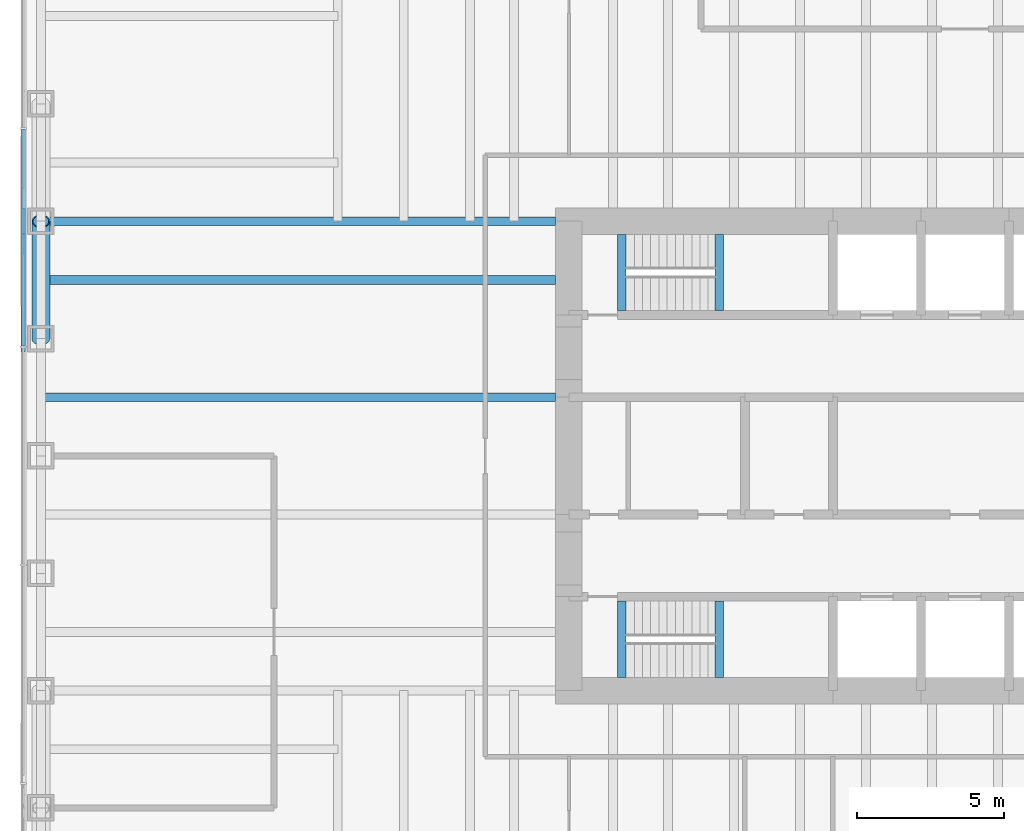
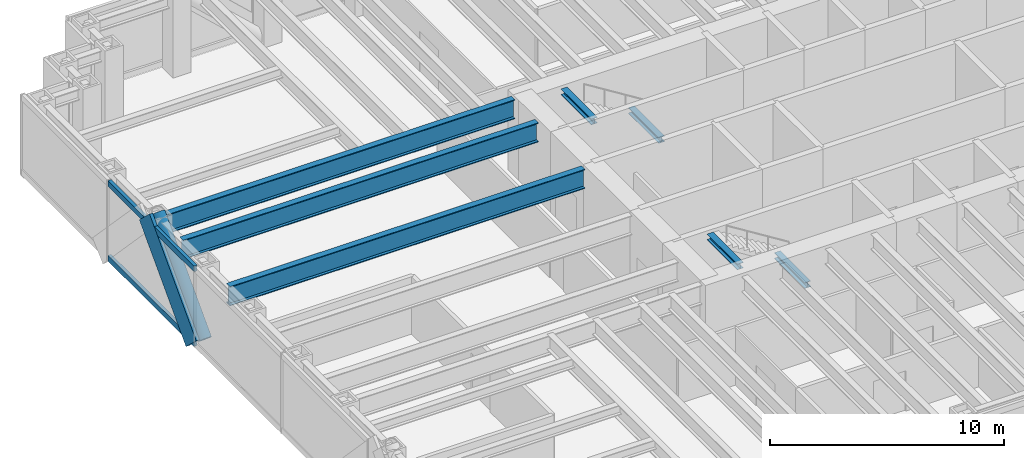
# One storey, part 3 of 15: 7 beams, 4 members, 1 element without a shape of its own.
"""IFC4 building model written with IfcOpenShell, lengths in metres."""

from ifc_helpers import new_model, si_unit, direction, frame, origin, origin_2d, place, context, subcontext, project, spatial, rectangle, hollow_circle, i_section, extrude, material, material_profile, profile_set, type_object, element, aggregate, save


model = new_model("IFC4")

# Units and contexts
model_context = context("Model", 3, precision=1e-05, world=origin(), true_north=direction((0.0, 1.0)))
body_context = subcontext(model_context, "Body", "Model", "MODEL_VIEW")
ifc_project = project(units=[si_unit("LENGTHUNIT", "METRE"), si_unit("AREAUNIT", "SQUARE_METRE"), si_unit("VOLUMEUNIT", "CUBIC_METRE"), si_unit("PLANEANGLEUNIT", "RADIAN"), si_unit("MASSUNIT", "GRAM", prefix="KILO")], contexts=[model_context])

# Site, building, storey
site_placement = place(None, origin())
site = spatial("IfcSite", under=ifc_project, at=site_placement, CompositionType="ELEMENT")
building_placement = place(site_placement, origin())
building = spatial("IfcBuilding", under=site, at=building_placement, Name="Rheinbord Bourse Tower", CompositionType="ELEMENT")
storey_placement = place(building_placement, frame((0.0, 0.0, 146.699951171875)))
storey = spatial("IfcBuildingStorey", under=building, at=storey_placement, Name="L32", CompositionType="ELEMENT", Elevation=146.699951171875)

# Curtain wall, members
ifc_material_1 = material(Name="Dark glass and black aluminium", Category="aluminium")
curtain_wall_type = type_object("IfcCurtainWallType", Name="CW2 DARK GLASS CURTAIN WALL", PredefinedType="USERDEFINED", material=ifc_material_1)
curtain_wall_placement = place(storey_placement, origin())
curtain_wall = element("IfcCurtainWall", 1, at=curtain_wall_placement, inside=storey, type_object=curtain_wall_type, Name="Curtain wall CW2 W L32", ObjectType="UNITISED CURTAIN WALL", PredefinedType="USERDEFINED")
ifc_material_2 = material(Name="Black anodised aluminium", Category="aluminium")
ifc_material_profile_1 = material_profile(ifc_material_2, rectangle(XDim=0.159912109375, YDim=1.2099609375, at=origin_2d()), Name="CW2 DIAGONAL MULLION 1210x160")
ifc_profile_set_1 = profile_set([ifc_material_profile_1], Name="Black anodised aluminium")
member_type_1 = type_object("IfcMemberType", Name="CW2 BLACK DIAGONAL MULLION", PredefinedType="USERDEFINED", material=ifc_profile_set_1)
member_1_placement = place(storey_placement, frame((-0.60009765625, 28.0, 0.0), z_axis=(0.0, 0.689659376744, 0.724133926887), x_axis=(-1.0, 0.0, 0.0)))
member_1 = element("IfcMember", 2, at=member_1_placement, type_object=member_type_1, Name="CW2 diagonal mullion b", ObjectType="DIAGONAL MULLION", PredefinedType="USERDEFINED", context=body_context, shape_type="SweptSolid", body=[
    extrude(rectangle(XDim=0.159912109375, YDim=1.2099609375, at=origin_2d()), origin(), (0.0, 0.0, 1.0), 5.800048828125),
])
ifc_material_3 = material(Name="Black anodised aluminium", Category="aluminium")
ifc_material_profile_2 = material_profile(ifc_material_3, rectangle(XDim=0.159912109375, YDim=0.300048828125, at=origin_2d()), Name="CW2 TRANSOM 300x160")
ifc_profile_set_2 = profile_set([ifc_material_profile_2], Name="Black anodised aluminium")
member_type_2 = type_object("IfcMemberType", Name="CW2 BLACK TRANSOM", PredefinedType="USERDEFINED", material=ifc_profile_set_2)
member_2_placement = place(storey_placement, frame((-0.60009765625, 35.125, 0.150146484375), z_axis=(0.0, -1.0, 0.0), x_axis=(1.0, 0.0, 0.0)))
member_2 = element("IfcMember", 3, at=member_2_placement, type_object=member_type_2, Name="CW2 transom 2.1", ObjectType="TRANSOM", PredefinedType="USERDEFINED", context=body_context, shape_type="SweptSolid", body=[
    extrude(rectangle(XDim=0.159912109375, YDim=0.300048828125, at=origin_2d()), origin(), (0.0, 0.0, 1.0), 7.3701171875),
])
member_3_placement = place(storey_placement, frame((-0.60009765625, 35.125, 4.050048828125), z_axis=(0.0, -1.0, 0.0), x_axis=(1.0, 0.0, 0.0)))
member_3 = element("IfcMember", 4, at=member_3_placement, type_object=member_type_2, Name="CW2 transom 2.2", ObjectType="TRANSOM", PredefinedType="USERDEFINED", context=body_context, shape_type="SweptSolid", body=[
    extrude(rectangle(XDim=0.159912109375, YDim=0.300048828125, at=origin_2d()), origin(), (0.0, 0.0, 1.0), 7.3701171875),
])
aggregate(curtain_wall, [member_2, member_3, member_1])

# Beams
ifc_material_4 = material(Name="Steel S460", Category="steel")
ifc_material_profile_3 = material_profile(ifc_material_4, i_section(OverallWidth=0.302001953125, OverallDepth=1.008056640625, WebThickness=0.02099609375, FlangeThickness=0.0400390625, at=origin_2d()), Name="HEM 1000")
ifc_profile_set_3 = profile_set([ifc_material_profile_3], Name="Steel S460")
beam_type_1 = type_object("IfcBeamType", Name="END BEAM HEM 1000", PredefinedType="BEAM", material=ifc_profile_set_3)
for number, where, z_axis, x_axis, name in (
    (5, (0.0, 26.0, 3.5361328125), (1.0, 0.0, 0.0), (0.0, 1.0, 0.0), "End beam west 26 L33"),
    (6, (0.0, 30.0, 3.5361328125), (1.0, 0.0, 0.0), (0.0, 1.0, 0.0), "End beam west 30 L33"),
):
    element("IfcBeam", number, at=place(storey_placement, frame(where, z_axis=z_axis, x_axis=x_axis)), inside=storey, type_object=beam_type_1, Name=name, PredefinedType="BEAM", context=body_context, shape_type="SweptSolid", body=[
        extrude(i_section(OverallWidth=0.302001953125, OverallDepth=1.008056640625, WebThickness=0.02099609375, FlangeThickness=0.0400390625, at=origin_2d()), origin(), (0.0, 0.0, 1.0), 17.550048828125),
    ])
ifc_material_5 = material(Name="Steel S460", Category="steel")
ifc_material_profile_4 = material_profile(ifc_material_5, i_section(OverallWidth=0.302001953125, OverallDepth=1.008056640625, WebThickness=0.02099609375, FlangeThickness=0.0400390625, at=origin_2d()), Name="HEM 1000")
ifc_profile_set_4 = profile_set([ifc_material_profile_4], Name="Steel S460")
beam_type_2 = type_object("IfcBeamType", Name="GIRDER HEM 1000", PredefinedType="BEAM", material=ifc_profile_set_4)
beam_placement = place(storey_placement, frame((0.0, 32.0, 3.5361328125), z_axis=(1.0, 0.0, 0.0), x_axis=(0.0, 1.0, 0.0)))
element("IfcBeam", 7, at=beam_placement, inside=storey, type_object=beam_type_2, Name="Girder west 32 L33", PredefinedType="BEAM", context=body_context, shape_type="SweptSolid", body=[
    extrude(i_section(OverallWidth=0.302001953125, OverallDepth=1.008056640625, WebThickness=0.02099609375, FlangeThickness=0.0400390625, at=origin_2d()), origin(), (0.0, 0.0, 1.0), 17.550048828125),
])
ifc_material_6 = material(Name="Steel S460", Category="steel")
ifc_material_profile_5 = material_profile(ifc_material_6, i_section(OverallWidth=0.300048828125, OverallDepth=0.300048828125, WebThickness=0.010986328125, FlangeThickness=0.01904296875, at=origin_2d()), Name="HEB 300")
ifc_profile_set_5 = profile_set([ifc_material_profile_5], Name="Steel S460")
beam_type_3 = type_object("IfcBeamType", Name="LANDING TRIMMER HEB 300", PredefinedType="BEAM", material=ifc_profile_set_5)
for number, where, z_axis, x_axis, name in (
    (8, (23.1298828125, 16.449951171875, 1.75), (0.0, 1.0, 0.0), (-1.0, 0.0, 0.0), "Landing trimmer ST1 L32"),
    (9, (19.800048828125, 16.449951171875, 3.89013671875), (0.0, 1.0, 0.0), (-1.0, 0.0, 0.0), "Well trimmer ST1 under L33"),
    (10, (23.1298828125, 28.949951171875, 1.75), (0.0, 1.0, 0.0), (-1.0, 0.0, 0.0), "Landing trimmer ST2 L32"),
    (11, (19.800048828125, 28.949951171875, 3.89013671875), (0.0, 1.0, 0.0), (-1.0, 0.0, 0.0), "Well trimmer ST2 under L33"),
):
    element("IfcBeam", number, at=place(storey_placement, frame(where, z_axis=z_axis, x_axis=x_axis)), inside=storey, type_object=beam_type_3, Name=name, PredefinedType="BEAM", context=body_context, shape_type="SweptSolid", body=[
        extrude(i_section(OverallWidth=0.300048828125, OverallDepth=0.300048828125, WebThickness=0.010986328125, FlangeThickness=0.01904296875, at=origin_2d()), origin(), (0.0, 0.0, 1.0), 2.60009765625),
    ])

# Member
ifc_material_7 = material(Name="Steel S460", Category="steel")
ifc_material_profile_6 = material_profile(ifc_material_7, hollow_circle(Radius=0.304931640625, WallThickness=0.0400390625, at=origin_2d()), Name="CHS 610x40")
ifc_profile_set_6 = profile_set([ifc_material_profile_6], Name="Steel S460")
member_type_3 = type_object("IfcMemberType", Name="MEGABRACE CHS 610x40", PredefinedType="BRACE", material=ifc_profile_set_6)
member_4_placement = place(storey_placement, frame((0.0, 28.0, 0.0), z_axis=(0.0, 0.689659376744, 0.724133926887), x_axis=(-1.0, 0.0, 0.0)))
element("IfcMember", 12, at=member_4_placement, inside=storey, type_object=member_type_3, Name="Megabrace W face line b L32", PredefinedType="BRACE", context=body_context, shape_type="SweptSolid", body=[
    extrude(hollow_circle(Radius=0.304931640625, WallThickness=0.0400390625, at=origin_2d()), origin(), (0.0, 0.0, 1.0), 5.800048828125),
])

save(model, "model.ifc")
